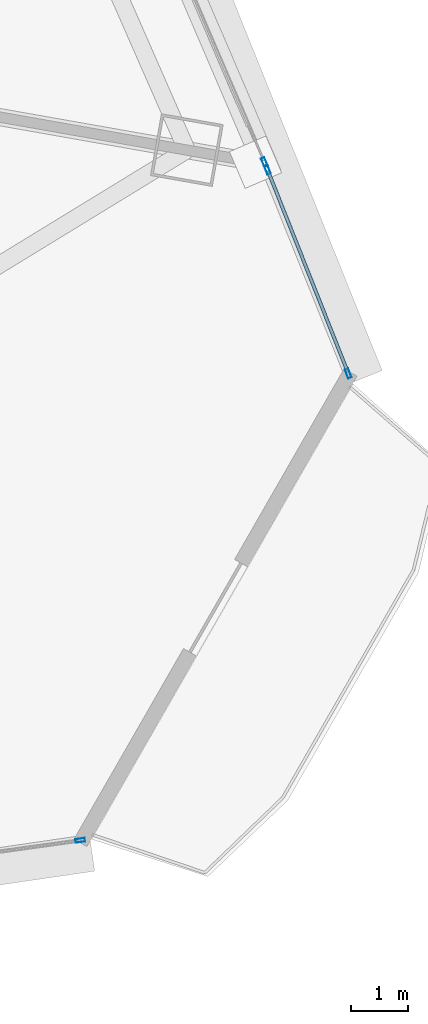
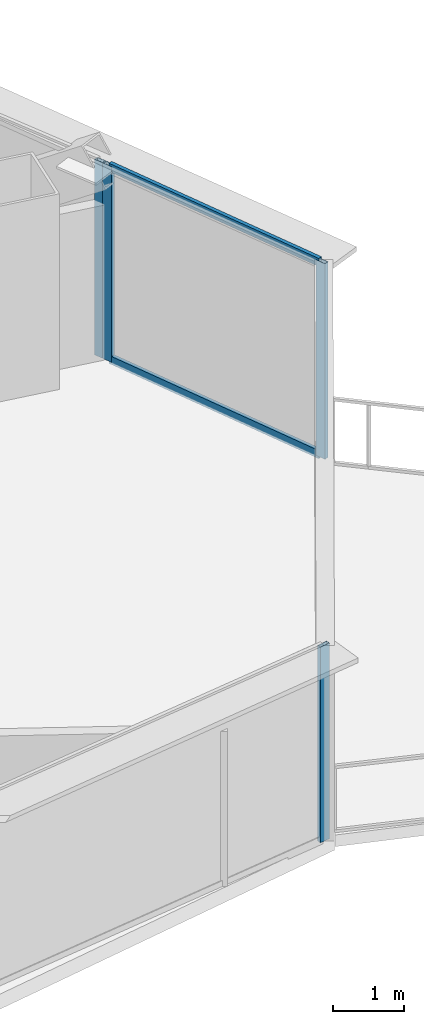
# One storey, part 22 of 37: 6 members, 3 elements without a shape of their own.
"""IFC4 building model written with IfcOpenShell, lengths in metres."""

from ifc_helpers import new_model, si_unit, direction, frame, origin, origin_2d, place, context, subcontext, project, spatial, hollow_rectangle, extrude, source, transform, mapped, material, layer, layer_set, material_profile, profile_set, type_object, element, aggregate, save


model = new_model("IFC4")

# Units and contexts
model_context = context("Model", 3, precision=1e-05, world=origin(), true_north=direction((0.0, 1.0)))
body_context = subcontext(model_context, "Body", "Model", "MODEL_VIEW")
ifc_project = project(units=[si_unit("LENGTHUNIT", "METRE"), si_unit("AREAUNIT", "SQUARE_METRE"), si_unit("VOLUMEUNIT", "CUBIC_METRE"), si_unit("PLANEANGLEUNIT", "RADIAN"), si_unit("MASSUNIT", "GRAM", prefix="KILO"), si_unit("THERMODYNAMICTEMPERATUREUNIT", "KELVIN"), si_unit("POWERUNIT", "WATT")], contexts=[model_context])

# Site, building, storey
site_placement = place(None, origin())
site = spatial("IfcSite", under=ifc_project, at=site_placement, CompositionType="ELEMENT")
building_placement = place(site_placement, origin())
building = spatial("IfcBuilding", under=site, at=building_placement, Name="Yunzhuo Pagoda Commons", CompositionType="ELEMENT")
storey_placement = place(building_placement, frame((0.0, 0.0, 59.43994140625)))
storey = spatial("IfcBuildingStorey", under=building, at=storey_placement, Name="L15", CompositionType="ELEMENT", Elevation=59.43994140625)

# Curtain wall, member
ifc_material = material(Name="Anodized aluminium 6063-T6", Category="aluminium")
ifc_layer = layer(ifc_material, 0.1650390625)
ifc_layer_set = layer_set([ifc_layer], Name="Anodized aluminium 6063-T6")
curtain_wall_type = type_object("IfcCurtainWallType", Name="CW-LOW Low-Zone Ribbon Curtain Wall", PredefinedType="NOTDEFINED", material=ifc_layer_set)
curtain_wall_1_placement = place(storey_placement, origin())
curtain_wall_1 = element("IfcCurtainWall", 1, at=curtain_wall_1_placement, inside=storey, type_object=curtain_wall_type, Name="L15 curtain wall CW-L15-F1B5", PredefinedType="NOTDEFINED")
ifc_material_profile_1 = material_profile(ifc_material, hollow_rectangle(XDim=0.06494140625, YDim=0.1650390625, WallThickness=0.00390625, at=origin_2d()), Name="Anodized aluminium 6063-T6")
ifc_profile_set_1 = profile_set([ifc_material_profile_1], Name="Anodized aluminium 6063-T6")
member_type_1 = type_object("IfcMemberType", Name="CW-LOW-M Mullion RHS 165x65x4", PredefinedType="MULLION", material=ifc_profile_set_1)
shared_shape_1 = source(origin(), body_context, "Body", "SweptSolid", [
    extrude(hollow_rectangle(XDim=0.06494140625, YDim=0.1650390625, WallThickness=0.00390625, at=origin_2d()), origin(), (0.0, 0.0, 1.0), 3.3701171875),
])
member_1_placement = place(storey_placement, frame((86.178955078125, 14.542236328125, 0.0), z_axis=(0.0, 0.0, 1.0), x_axis=(-0.13790498569, 0.990445462871, 0.0)))
member_1 = element("IfcMember", 2, at=member_1_placement, type_object=member_type_1, Name="CW mullion 2", PredefinedType="MULLION", context=body_context, shape_type="MappedRepresentation", body=[
    mapped(shared_shape_1, transform((0.0, 0.0, 0.0), scale=1.0)),
])
aggregate(curtain_wall_1, [member_1])

curtain_wall_2_placement = place(storey_placement, origin())
curtain_wall_2 = element("IfcCurtainWall", 3, at=curtain_wall_2_placement, inside=storey, type_object=curtain_wall_type, Name="L15 curtain wall CW-L15-F2B2", PredefinedType="NOTDEFINED")
member_2_placement = place(storey_placement, frame((89.40771484375, 26.426513671875, 0.0), z_axis=(0.0, 0.0, 1.0), x_axis=(-0.918993139703, -0.394273520769, 0.0)))
member_2 = element("IfcMember", 4, at=member_2_placement, type_object=member_type_1, Name="CW mullion 1", PredefinedType="MULLION", context=body_context, shape_type="MappedRepresentation", body=[
    mapped(shared_shape_1, transform((0.0, 0.0, 0.0), scale=1.0)),
])
aggregate(curtain_wall_2, [member_2])

# Curtain wall, members
curtain_wall_3_placement = place(storey_placement, origin())
curtain_wall_3 = element("IfcCurtainWall", 5, at=curtain_wall_3_placement, inside=storey, type_object=curtain_wall_type, Name="L15 curtain wall CW-L15-F2B1", PredefinedType="NOTDEFINED")
member_3_placement = place(storey_placement, frame((90.876953125, 22.7236328125, 0.0), z_axis=(0.0, 0.0, 1.0), x_axis=(-0.929582438104, -0.368614284542, 0.0)))
member_3 = element("IfcMember", 6, at=member_3_placement, type_object=member_type_1, Name="CW mullion 1", PredefinedType="MULLION", context=body_context, shape_type="MappedRepresentation", body=[
    mapped(shared_shape_1, transform((0.0, 0.0, 0.0), scale=1.0)),
])
member_4_placement = place(storey_placement, frame((89.460205078125, 26.29638671875, 0.0), z_axis=(0.0, 0.0, 1.0), x_axis=(-0.929582438104, -0.368614284542, 0.0)))
member_4 = element("IfcMember", 7, at=member_4_placement, type_object=member_type_1, Name="CW mullion 2", PredefinedType="MULLION", context=body_context, shape_type="MappedRepresentation", body=[
    mapped(shared_shape_1, transform((0.0, 0.0, 0.0), scale=1.0)),
])
ifc_material_profile_2 = material_profile(ifc_material, hollow_rectangle(XDim=0.06005859375, YDim=0.139892578125, WallThickness=0.00341796875, at=origin_2d()), Name="Anodized aluminium 6063-T6")
ifc_profile_set_2 = profile_set([ifc_material_profile_2], Name="Anodized aluminium 6063-T6")
member_type_2 = type_object("IfcMemberType", Name="CW-LOW-T Transom RHS 140x60x3.5", PredefinedType="USERDEFINED", material=ifc_profile_set_2)
shared_shape_2 = source(origin(), body_context, "Body", "SweptSolid", [
    extrude(hollow_rectangle(XDim=0.06005859375, YDim=0.139892578125, WallThickness=0.00341796875, at=origin_2d()), origin(), (0.0, 0.0, 1.0), 3.778564453125),
])
member_5_placement = place(storey_placement, frame((90.864990234375, 22.75390625, 0.030029296875), z_axis=(-0.368615131288, 0.929582102337, 0.0), x_axis=(-0.929582102337, -0.368615131288, 0.0)))
member_5 = element("IfcMember", 8, at=member_5_placement, type_object=member_type_2, Name="CW transom 1.1", ObjectType="TRANSOM", PredefinedType="USERDEFINED", context=body_context, shape_type="MappedRepresentation", body=[
    mapped(shared_shape_2, transform((0.0, 0.0, 0.0), scale=1.0)),
])
member_6_placement = place(storey_placement, frame((90.864990234375, 22.75390625, 3.340087890625), z_axis=(-0.368615131288, 0.929582102337, 0.0), x_axis=(-0.929582102337, -0.368615131288, 0.0)))
member_6 = element("IfcMember", 9, at=member_6_placement, type_object=member_type_2, Name="CW transom 1.2", ObjectType="TRANSOM", PredefinedType="USERDEFINED", context=body_context, shape_type="MappedRepresentation", body=[
    mapped(shared_shape_2, transform((0.0, 0.0, 0.0), scale=1.0)),
])
aggregate(curtain_wall_3, [member_3, member_4, member_5, member_6])

save(model, "model.ifc")
